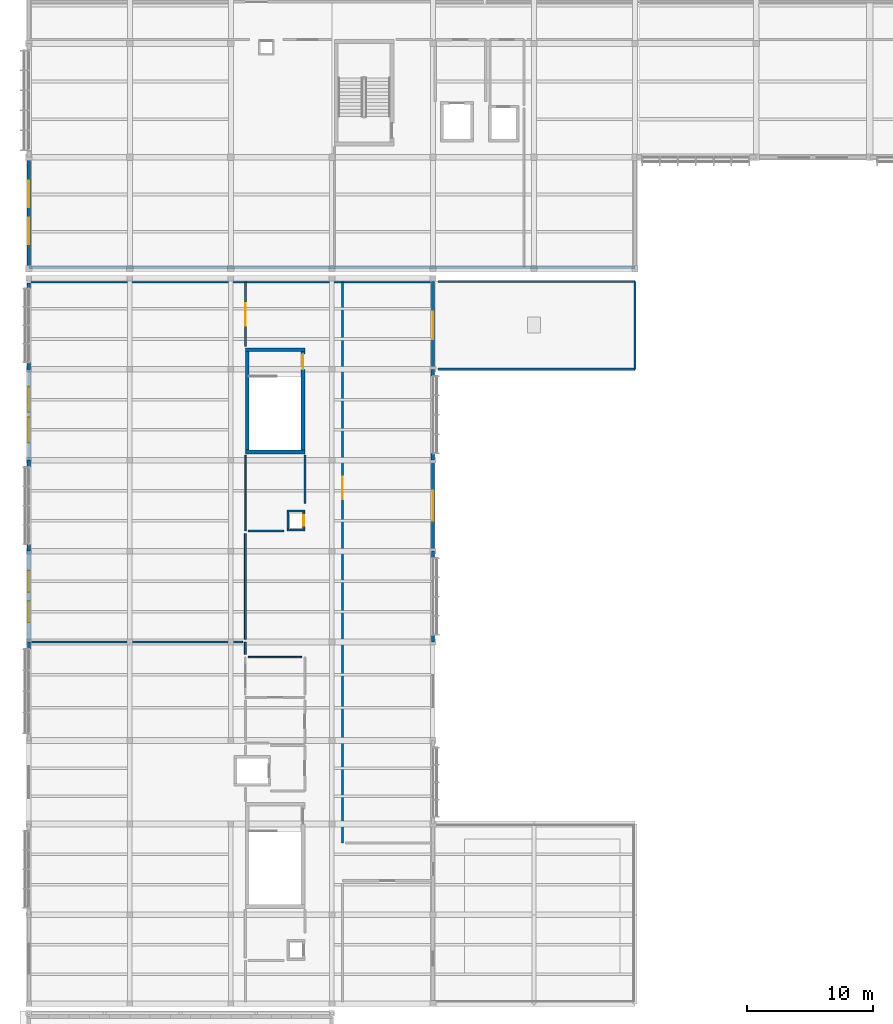
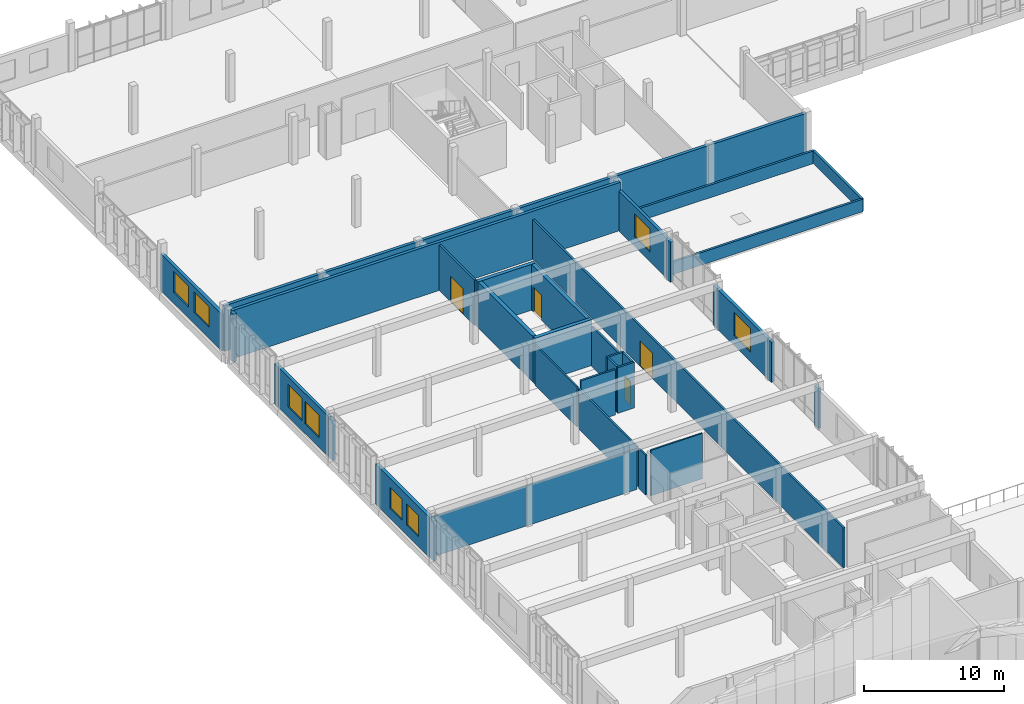
# One storey, part 92 of 107: 36 walls, 8 windows, 4 doors, 12 openings.
"""IFC4 building model written with IfcOpenShell, lengths in metres."""

import ifcopenshell
import ifcopenshell.guid

model = None  # the IFC model being written
_history = None  # IfcOwnerHistory: only IFC2X3 demands one
_inside = {}  # id of a spatial element -> (the spatial element, [elements in it])
_under = {}  # id of a project, library or spatial element -> (it, [spatial elements below it])
_declared = {}  # id of a project -> (the project, [libraries it declares])
_typed = {}  # id of a type object -> (the type object, [elements of that type])
_made_of = {}  # id of a material, layer set ... -> (it, [elements and type objects made of it])


def new_model(schema):
    """Start an empty IFC model of exactly this schema.

    Asked for "IFC4X3", IfcOpenShell would pick the latest addendum, in which some entities
    have other attributes; the version numbers below select the first issue.
    IFC2X3 requires an IfcOwnerHistory on every rooted entity: one is made here for all.
    """
    global model, _history
    if schema == "IFC4X3":
        model = ifcopenshell.file(schema_version=(4, 3, 0, 0))
    else:
        model = ifcopenshell.file(schema=schema)
    _inside.clear()
    _under.clear()
    _declared.clear()
    _typed.clear()
    _made_of.clear()
    _history = None
    if model.schema == "IFC2X3":
        org = make("IfcOrganization", Name="unknown")
        user = make(
            "IfcPersonAndOrganization",
            ThePerson=make("IfcPerson", FamilyName="unknown"),
            TheOrganization=org,
        )
        app = make(
            "IfcApplication",
            ApplicationDeveloper=org,
            Version="unknown",
            ApplicationFullName="unknown",
            ApplicationIdentifier="unknown",
        )
        _history = make(
            "IfcOwnerHistory",
            OwningUser=user,
            OwningApplication=app,
            ChangeAction="ADDED",
            CreationDate=0,
        )
    return model


def make(cls, **values):
    """One entity of the class cls with the attributes given. An attribute that is None is left unset."""
    return model.create_entity(
        cls, **{name: value for name, value in values.items() if value is not None}
    )


def rooted(cls, **values):
    """An entity with a GlobalId (a new one), such as an element, a storey or a relation."""
    return make(cls, GlobalId=ifcopenshell.guid.new(), OwnerHistory=_history, **values)


def si_unit(unit_type, name, prefix=None):
    """IfcSIUnit, for example si_unit("LENGTHUNIT", "METRE", prefix="MILLI")."""
    return make("IfcSIUnit", UnitType=unit_type, Prefix=prefix, Name=name)


def assignment(units):
    """IfcUnitAssignment: the units of a project."""
    return None if units is None else make("IfcUnitAssignment", Units=units)


def point(xyz):
    """IfcCartesianPoint."""
    return None if xyz is None else make("IfcCartesianPoint", Coordinates=xyz)


def direction(xyz):
    """IfcDirection."""
    return None if xyz is None else make("IfcDirection", DirectionRatios=xyz)


def frame(location, z_axis=None, x_axis=None):
    """IfcAxis2Placement3D, a coordinate frame: its origin and axes. An axis left out is left unset."""
    return make(
        "IfcAxis2Placement3D",
        Location=point(location),
        Axis=direction(z_axis),
        RefDirection=direction(x_axis),
    )


def frame_2d(location, x_axis=None):
    """IfcAxis2Placement2D, a coordinate frame in the plane: its origin and x axis."""
    return make(
        "IfcAxis2Placement2D", Location=point(location), RefDirection=direction(x_axis)
    )


def origin():
    """The frame at (0, 0, 0) with its axes left unset."""
    return frame((0.0, 0.0, 0.0))


def place(relative_to, where):
    """IfcLocalPlacement: puts the frame where relative to a parent placement (None: the world)."""
    return make(
        "IfcLocalPlacement", PlacementRelTo=relative_to, RelativePlacement=where
    )


def context(
    kind, dimensions, precision=None, world=None, true_north=None, identifier=None
):
    """IfcGeometricRepresentationContext, for example the 3D "Model" context."""
    return make(
        "IfcGeometricRepresentationContext",
        ContextIdentifier=identifier,
        ContextType=kind,
        CoordinateSpaceDimension=dimensions,
        Precision=precision,
        WorldCoordinateSystem=world,
        TrueNorth=true_north,
    )


def subcontext(parent, identifier, kind, view, scale=None):
    """IfcGeometricRepresentationSubContext, for example "Body" below "Model"."""
    return make(
        "IfcGeometricRepresentationSubContext",
        ContextIdentifier=identifier,
        ContextType=kind,
        ParentContext=parent,
        TargetScale=scale,
        TargetView=view,
    )


def project(units=None, contexts=None):
    """IfcProject with its units and contexts."""
    return rooted(
        "IfcProject",
        Name="project",
        RepresentationContexts=contexts,
        UnitsInContext=assignment(units),
    )


def spatial(cls, under=None, at=None, **own):
    """A site, building, storey or space (cls), placed at a placement, below another one or the project."""
    s = rooted(cls, ObjectPlacement=at, **own)
    if under is not None:
        _under.setdefault(under.id(), (under, []))[1].append(s)
    return s


def profile(cls, at=None, kind="AREA", **sizes):
    """A parametric profile (cls). Its sizes go by their IFC names, for example OverallWidth=200.0."""
    return make(cls, ProfileType=kind, Position=at, **sizes)


def rectangle(**sizes):
    """IfcRectangleProfileDef."""
    return profile("IfcRectangleProfileDef", **sizes)


def extrude(swept, where, along, depth):
    """IfcExtrudedAreaSolid: the profile swept, set in the frame where, extruded along a direction by depth."""
    return make(
        "IfcExtrudedAreaSolid",
        SweptArea=swept,
        Position=where,
        ExtrudedDirection=direction(along),
        Depth=depth,
    )


def shape(context_of_items, identifier, shape_type, items):
    """IfcShapeRepresentation: the items that make up one representation, for example the "Body"."""
    return make(
        "IfcShapeRepresentation",
        ContextOfItems=context_of_items,
        RepresentationIdentifier=identifier,
        RepresentationType=shape_type,
        Items=items,
    )


def material(Name=None, Category=None):
    """IfcMaterial."""
    return make("IfcMaterial", Name=Name, Category=Category)


def layer(
    of_material, thickness, ventilated=None, Name=None, Category=None, Priority=None
):
    """IfcMaterialLayer: one layer of a wall or slab, of a material (None: an air gap)."""
    return make(
        "IfcMaterialLayer",
        Material=of_material,
        LayerThickness=thickness,
        IsVentilated=ventilated,
        Name=Name,
        Category=Category,
        Priority=Priority,
    )


def layer_set(layers, Name=None):
    """IfcMaterialLayerSet."""
    return make("IfcMaterialLayerSet", MaterialLayers=layers, LayerSetName=Name)


def made_of(thing, what):
    """Note that an element or type object is made of a material, layer set ...; save() writes the relation."""
    if what is not None:
        _made_of.setdefault(what.id(), (what, []))[1].append(thing)
    return thing


def type_object(cls, material=None, **own):
    """A type object (cls), such as IfcWallType, which elements share."""
    return made_of(rooted(cls, **own), material)


def element(
    cls,
    number,
    at=None,
    inside=None,
    cuts=None,
    type_object=None,
    material=None,
    context=None,
    identifier="Body",
    shape_type=None,
    held_by="IfcProductDefinitionShape",
    body=None,
    shapes=None,
    **own,
):
    """One element of the class cls, such as IfcWall. Its Tag is "e" and its number.

    at: its placement. inside: the storey or other place that contains it. cuts: it is an
    opening in that element (IfcRelVoidsElement). A single representation is given by context,
    identifier, shape_type and body (its items); several are given by shapes. held_by: the class
    of the entity that holds the representations. save() writes the other relations.
    """
    e = rooted(cls, Tag="e%d" % number, ObjectPlacement=at, **own)
    if body is not None:
        shapes = [shape(context, identifier, shape_type, body)]
    if shapes is not None:
        e.Representation = make(held_by, Representations=shapes)
    if inside is not None:
        _inside.setdefault(inside.id(), (inside, []))[1].append(e)
    if cuts is not None:
        rooted(
            "IfcRelVoidsElement", RelatingBuildingElement=cuts, RelatedOpeningElement=e
        )
    if type_object is not None:
        _typed.setdefault(type_object.id(), (type_object, []))[1].append(e)
    return made_of(e, material)


def fill(opening, filler):
    """IfcRelFillsElement: the door or window that sits in an opening."""
    return rooted(
        "IfcRelFillsElement",
        RelatingOpeningElement=opening,
        RelatedBuildingElement=filler,
    )


def aggregate(whole, parts):
    """IfcRelAggregates: a whole, such as a stair, and the parts it consists of."""
    return rooted("IfcRelAggregates", RelatingObject=whole, RelatedObjects=parts)


def save(model, path):
    """Write the relations noted so far, then the file.

    IfcRelAggregates (storeys below a building ...), IfcRelContainedInSpatialStructure (elements
    in a storey), IfcRelDefinesByType, IfcRelAssociatesMaterial and IfcRelDeclares: one each for
    every whole, place, type object, material and project.
    """
    for whole, parts in _under.values():
        aggregate(whole, parts)
    for where, things in _inside.values():
        rooted(
            "IfcRelContainedInSpatialStructure",
            RelatedElements=things,
            RelatingStructure=where,
        )
    for kind, things in _typed.values():
        rooted("IfcRelDefinesByType", RelatedObjects=things, RelatingType=kind)
    for what, things in _made_of.values():
        rooted("IfcRelAssociatesMaterial", RelatedObjects=things, RelatingMaterial=what)
    for by, libraries in _declared.values():
        rooted("IfcRelDeclares", RelatingContext=by, RelatedDefinitions=libraries)
    model.write(path)


model = new_model("IFC4")

# Units and contexts
model_context = context("Model", 3, precision=1e-05, world=origin(), true_north=direction((0.0, 1.0)))
body_context = subcontext(model_context, "Body", "Model", "MODEL_VIEW")
ifc_project = project(units=[si_unit("LENGTHUNIT", "METRE"), si_unit("AREAUNIT", "SQUARE_METRE"), si_unit("VOLUMEUNIT", "CUBIC_METRE"), si_unit("PLANEANGLEUNIT", "RADIAN"), si_unit("MASSUNIT", "GRAM", prefix="KILO")], contexts=[model_context])

# Site, building, storey
site_placement = place(None, origin())
site = spatial("IfcSite", under=ifc_project, at=site_placement, CompositionType="ELEMENT")
building_placement = place(site_placement, origin())
building = spatial("IfcBuilding", under=site, at=building_placement, Name="Chiffa Square Polytechnic", CompositionType="ELEMENT")
storey_placement = place(building_placement, frame((0.0, 0.0, 13.800048828125)))
storey = spatial("IfcBuildingStorey", under=building, at=storey_placement, Name="L03", CompositionType="ELEMENT", Elevation=13.800048828125)

# Walls
ifc_material_1 = material(Name="Concrete C40/50", Category="concrete")
ifc_layer_1 = layer(ifc_material_1, 0.300048828125, Name="Concrete C40/50")
ifc_layer_set_1 = layer_set([ifc_layer_1], Name="Concrete C40/50")
wall_type_1 = type_object("IfcWallType", Name="WL-CORE-300", PredefinedType="SHEAR", material=ifc_layer_set_1)
for number, where, z_axis, x_axis, name in (
    (1, (17.14990234375, 80.449951171875, 0.0), (0.0, 0.0, 1.0), (1.0, 0.0, 0.0), "Core or enclosure wall WC-CORE-V6B-L03-SOUTH"),
    (2, (17.14990234375, 88.550048828125, 0.0), (0.0, 0.0, 1.0), (1.0, 0.0, 0.0), "Core or enclosure wall WC-CORE-V6B-L03-NORTH"),
):
    element("IfcWall", number, at=place(storey_placement, frame(where, z_axis=z_axis, x_axis=x_axis)), inside=storey, type_object=wall_type_1, Name=name, PredefinedType="SHEAR", context=body_context, shape_type="SweptSolid", body=[
        extrude(rectangle(XDim=4.7001953125, YDim=0.300048828125, at=frame_2d((2.35009765625, 0.0))), origin(), (0.0, 0.0, 1.0), 4.0),
    ])
wall_1_placement = place(storey_placement, frame((17.300048828125, 80.60009765625, 0.0), z_axis=(0.0, 0.0, 1.0), x_axis=(0.0, 1.0, 0.0)))
element("IfcWall", 3, at=wall_1_placement, inside=storey, type_object=wall_type_1, Name="Core or enclosure wall WC-CORE-V6B-L03-WEST", PredefinedType="SHEAR", context=body_context, shape_type="SweptSolid", body=[
    extrude(rectangle(XDim=7.7998046875, YDim=0.300048828125, at=frame_2d((3.89990234375, 0.0))), origin(), (0.0, 0.0, 1.0), 4.0),
])

# Wall, opening, door
wall_2_placement = place(storey_placement, frame((21.699951171875, 80.60009765625, 0.0), z_axis=(0.0, 0.0, 1.0), x_axis=(0.0, 1.0, 0.0)))
wall_2 = element("IfcWall", 4, at=wall_2_placement, inside=storey, type_object=wall_type_1, Name="Core or enclosure wall WC-CORE-V6B-L03-EAST", PredefinedType="SHEAR", context=body_context, shape_type="SweptSolid", body=[
    extrude(rectangle(XDim=7.7998046875, YDim=0.300048828125, at=frame_2d((3.89990234375, 0.0))), origin(), (0.0, 0.0, 1.0), 4.0),
])
opening_1_placement = place(wall_2_placement, frame((6.39990234375, 0.0, 0.0)))
opening_1 = element("IfcOpeningElement", 5, at=opening_1_placement, cuts=wall_2, Name="Opening DS-L03-054", PredefinedType="OPENING", context=body_context, shape_type="SweptSolid", body=[
    extrude(rectangle(XDim=1.199951171875, YDim=2.14990234375, at=frame_2d((0.60009765625, 1.074951171875))), frame((0.0, 0.16015625, 0.0), z_axis=(0.0, -1.0, 0.0), x_axis=(1.0, 0.0, 0.0)), (0.0, 0.0, 1.0), 0.320068359375),
])
ifc_material_2 = material(Name="Fire-rated painted steel leaf", Category="steel")
door_type_1 = type_object("IfcDoorType", Name="DR-STAIR-1200", OperationType="NOTDEFINED", PredefinedType="DOOR", material=ifc_material_2)
door_1_placement = place(opening_1_placement, origin())
door_1 = element("IfcDoor", 6, at=door_1_placement, inside=storey, type_object=door_type_1, Name="Enclosure door DS-L03-054", OperationType="SINGLE_SWING_RIGHT", OverallHeight=2.14990234375, OverallWidth=1.199951171875, PredefinedType="DOOR", context=body_context, shape_type="SweptSolid", body=[
    extrude(rectangle(XDim=1.199951171875, YDim=2.14990234375, at=frame_2d((0.60009765625, 1.074951171875))), frame((0.0, 0.02490234375, 0.0), z_axis=(0.0, -1.0, 0.0), x_axis=(1.0, 0.0, 0.0)), (0.0, 0.0, 1.0), 0.050048828125),
])
fill(opening_1, door_1)

# Walls
ifc_material_3 = material(Name="Precast concrete C40/50", Category="concrete")
ifc_layer_2 = layer(ifc_material_3, 0.239990234375, Name="Precast concrete C40/50")
ifc_layer_set_2 = layer_set([ifc_layer_2], Name="Precast concrete C40/50")
wall_type_2 = type_object("IfcWallType", Name="WL-EXT-PC240", PredefinedType="SOLIDWALL", material=ifc_layer_set_2)
for number, where, z_axis, x_axis, name in (
    (7, (32.0, 65.39990234375, 0.0), (0.0, 0.0, 1.0), (0.0, 1.0, 0.0), "Facade column pier V6-L03-0454L"),
    (8, (32.0, 72.06005859375, 0.0), (0.0, 0.0, 1.0), (0.0, 1.0, 0.0), "Facade column pier V6-L03-0454R"),
):
    element("IfcWall", number, at=place(storey_placement, frame(where, z_axis=z_axis, x_axis=x_axis)), inside=storey, type_object=wall_type_2, Name=name, PredefinedType="SOLIDWALL", context=body_context, shape_type="SweptSolid", body=[
        extrude(rectangle(XDim=0.5400390625, YDim=0.239990234375, at=frame_2d((0.27001953125, 0.0))), origin(), (0.0, 0.0, 1.0), 3.48486328125),
    ])

# Wall, opening, window
wall_3_placement = place(storey_placement, frame((32.0, 87.0, 0.0), z_axis=(0.0, 0.0, 1.0), x_axis=(0.0, 1.0, 0.0)))
wall_3 = element("IfcWall", 9, at=wall_3_placement, inside=storey, type_object=wall_type_2, Name="Exterior wall WE-V6-L03-0457", PredefinedType="SOLIDWALL", context=body_context, shape_type="SweptSolid", body=[
    extrude(rectangle(XDim=6.949951171875, YDim=0.239990234375, at=frame_2d((3.47509765625, 0.0))), origin(), (0.0, 0.0, 1.0), 3.48486328125),
])
opening_2_placement = place(wall_3_placement, frame((2.375, 0.0, 0.85009765625)))
opening_2 = element("IfcOpeningElement", 10, at=opening_2_placement, cuts=wall_3, Name="Opening W-11", PredefinedType="OPENING", context=body_context, shape_type="SweptSolid", body=[
    extrude(rectangle(XDim=2.199951171875, YDim=2.0, at=frame_2d((1.10009765625, 1.0))), frame((0.0, 0.1298828125, 0.0), z_axis=(0.0, -1.0, 0.0), x_axis=(1.0, 0.0, 0.0)), (0.0, 0.0, 1.0), 0.260009765625),
])
ifc_material_4 = material(Name="Double glazing in thermally broken aluminium frame", Category="aluminium")
window_type_1 = type_object("IfcWindowType", Name="WIN-STD-2200X2000", PartitioningType="DOUBLE_PANEL_VERTICAL", PredefinedType="WINDOW", material=ifc_material_4)
window_1_placement = place(opening_2_placement, origin())
window_1 = element("IfcWindow", 11, at=window_1_placement, inside=storey, type_object=window_type_1, Name="Facade window WN-L03-0304", OverallHeight=2.0, OverallWidth=2.199951171875, PartitioningType="DOUBLE_PANEL_VERTICAL", PredefinedType="WINDOW", context=body_context, shape_type="SweptSolid", body=[
    extrude(rectangle(XDim=2.199951171875, YDim=2.0, at=frame_2d((1.10009765625, 1.0))), frame((0.0, 0.030029296875, 0.0), z_axis=(0.0, -1.0, 0.0), x_axis=(1.0, 0.0, 0.0)), (0.0, 0.0, 1.0), 0.06005859375),
])
fill(opening_2, window_1)

# Wall, openings, windows
wall_4_placement = place(storey_placement, frame((0.0, 87.0, 0.0), z_axis=(0.0, 0.0, 1.0), x_axis=(0.0, -1.0, 0.0)))
wall_4 = element("IfcWall", 12, at=wall_4_placement, inside=storey, type_object=wall_type_2, Name="Exterior wall WE-V6-L03-0460", PredefinedType="SOLIDWALL", context=body_context, shape_type="SweptSolid", body=[
    extrude(rectangle(XDim=7.199951171875, YDim=0.239990234375, at=frame_2d((3.60009765625, 0.0))), origin(), (0.0, 0.0, 1.0), 3.48486328125),
])
opening_3_placement = place(wall_4_placement, frame((1.39990234375, 0.0, 0.85009765625)))
opening_3 = element("IfcOpeningElement", 13, at=opening_3_placement, cuts=wall_4, Name="Opening W-12", PredefinedType="OPENING", context=body_context, shape_type="SweptSolid", body=[
    extrude(rectangle(XDim=2.0, YDim=1.949951171875, at=frame_2d((1.0, 0.97509765625))), frame((0.0, 0.1298828125, 0.0), z_axis=(0.0, -1.0, 0.0), x_axis=(1.0, 0.0, 0.0)), (0.0, 0.0, 1.0), 0.260009765625),
])
opening_4_placement = place(wall_4_placement, frame((3.800048828125, 0.0, 0.85009765625)))
opening_4 = element("IfcOpeningElement", 14, at=opening_4_placement, cuts=wall_4, Name="Opening W-12", PredefinedType="OPENING", context=body_context, shape_type="SweptSolid", body=[
    extrude(rectangle(XDim=2.0, YDim=1.949951171875, at=frame_2d((1.0, 0.97509765625))), frame((0.0, 0.1298828125, 0.0), z_axis=(0.0, -1.0, 0.0), x_axis=(1.0, 0.0, 0.0)), (0.0, 0.0, 1.0), 0.260009765625),
])
window_type_2 = type_object("IfcWindowType", Name="WIN-STD-2000X1950", PartitioningType="DOUBLE_PANEL_VERTICAL", PredefinedType="WINDOW", material=ifc_material_4)
window_2_placement = place(opening_3_placement, origin())
window_2 = element("IfcWindow", 15, at=window_2_placement, inside=storey, type_object=window_type_2, Name="Facade window WN-L03-0305", OverallHeight=1.949951171875, OverallWidth=2.0, PartitioningType="DOUBLE_PANEL_VERTICAL", PredefinedType="WINDOW", context=body_context, shape_type="SweptSolid", body=[
    extrude(rectangle(XDim=2.0, YDim=1.949951171875, at=frame_2d((1.0, 0.97509765625))), frame((0.0, 0.030029296875, 0.0), z_axis=(0.0, -1.0, 0.0), x_axis=(1.0, 0.0, 0.0)), (0.0, 0.0, 1.0), 0.06005859375),
])
fill(opening_3, window_2)
window_3_placement = place(opening_4_placement, origin())
window_3 = element("IfcWindow", 16, at=window_3_placement, inside=storey, type_object=window_type_2, Name="Facade window WN-L03-0306", OverallHeight=1.949951171875, OverallWidth=2.0, PartitioningType="DOUBLE_PANEL_VERTICAL", PredefinedType="WINDOW", context=body_context, shape_type="SweptSolid", body=[
    extrude(rectangle(XDim=2.0, YDim=1.949951171875, at=frame_2d((1.0, 0.97509765625))), frame((0.0, 0.030029296875, 0.0), z_axis=(0.0, -1.0, 0.0), x_axis=(1.0, 0.0, 0.0)), (0.0, 0.0, 1.0), 0.06005859375),
])
fill(opening_4, window_3)

# Wall
wall_5_placement = place(storey_placement, frame((0.0, 65.39990234375, 0.0), z_axis=(0.0, 0.0, 1.0), x_axis=(0.0, -1.0, 0.0)))
element("IfcWall", 17, at=wall_5_placement, inside=storey, type_object=wall_type_2, Name="Facade column pier V6-L03-0463L", PredefinedType="SOLIDWALL", context=body_context, shape_type="SweptSolid", body=[
    extrude(rectangle(XDim=0.539794921875, YDim=0.239990234375, at=frame_2d((0.27001953125, 0.0))), origin(), (0.0, 0.0, 1.0), 3.48486328125),
])

# Wall, openings, windows
ifc_layer_3 = layer(ifc_material_3, 0.260009765625, Name="Precast concrete C40/50")
ifc_layer_set_3 = layer_set([ifc_layer_3], Name="Precast concrete C40/50")
wall_type_3 = type_object("IfcWallType", Name="WL-EXT-PC260", PredefinedType="SOLIDWALL", material=ifc_layer_set_3)
wall_6_placement = place(storey_placement, frame((0.0, 103.800048828125, 0.0), z_axis=(0.0, 0.0, 1.0), x_axis=(0.0, -1.0, 0.0)))
wall_6 = element("IfcWall", 18, at=wall_6_placement, inside=storey, type_object=wall_type_3, Name="Exterior wall WE-V5-L03-0362", PredefinedType="SOLIDWALL", context=body_context, shape_type="SweptSolid", body=[
    extrude(rectangle(XDim=8.75, YDim=0.260009765625, at=frame_2d((4.375, 0.0))), origin(), (0.0, 0.0, 1.0), 3.195068359375),
])
opening_5_placement = place(wall_6_placement, frame((1.866943359375, 0.0, 0.949951171875)))
opening_5 = element("IfcOpeningElement", 19, at=opening_5_placement, cuts=wall_6, Name="Opening W-03", PredefinedType="OPENING", context=body_context, shape_type="SweptSolid", body=[
    extrude(rectangle(XDim=2.10009765625, YDim=1.800048828125, at=frame_2d((1.050048828125, 0.89990234375))), frame((0.0, 0.14013671875, 0.0), z_axis=(0.0, -1.0, 0.0), x_axis=(1.0, 0.0, 0.0)), (0.0, 0.0, 1.0), 0.280029296875),
])
opening_6_placement = place(wall_6_placement, frame((4.782958984375, 0.0, 0.949951171875)))
opening_6 = element("IfcOpeningElement", 20, at=opening_6_placement, cuts=wall_6, Name="Opening W-03", PredefinedType="OPENING", context=body_context, shape_type="SweptSolid", body=[
    extrude(rectangle(XDim=2.10009765625, YDim=1.800048828125, at=frame_2d((1.050048828125, 0.89990234375))), frame((0.0, 0.14013671875, 0.0), z_axis=(0.0, -1.0, 0.0), x_axis=(1.0, 0.0, 0.0)), (0.0, 0.0, 1.0), 0.280029296875),
])
window_type_3 = type_object("IfcWindowType", Name="WIN-LAB-2100X1800", PartitioningType="DOUBLE_PANEL_VERTICAL", PredefinedType="WINDOW", material=ifc_material_4)
window_4_placement = place(opening_5_placement, origin())
window_4 = element("IfcWindow", 21, at=window_4_placement, inside=storey, type_object=window_type_3, Name="Facade window WN-L03-0254", OverallHeight=1.800048828125, OverallWidth=2.10009765625, PartitioningType="DOUBLE_PANEL_VERTICAL", PredefinedType="WINDOW", context=body_context, shape_type="SweptSolid", body=[
    extrude(rectangle(XDim=2.10009765625, YDim=1.800048828125, at=frame_2d((1.050048828125, 0.89990234375))), frame((0.0, 0.030029296875, 0.0), z_axis=(0.0, -1.0, 0.0), x_axis=(1.0, 0.0, 0.0)), (0.0, 0.0, 1.0), 0.06005859375),
])
fill(opening_5, window_4)
window_5_placement = place(opening_6_placement, origin())
window_5 = element("IfcWindow", 22, at=window_5_placement, inside=storey, type_object=window_type_3, Name="Facade window WN-L03-0255", OverallHeight=1.800048828125, OverallWidth=2.10009765625, PartitioningType="DOUBLE_PANEL_VERTICAL", PredefinedType="WINDOW", context=body_context, shape_type="SweptSolid", body=[
    extrude(rectangle(XDim=2.10009765625, YDim=1.800048828125, at=frame_2d((1.050048828125, 0.89990234375))), frame((0.0, 0.030029296875, 0.0), z_axis=(0.0, -1.0, 0.0), x_axis=(1.0, 0.0, 0.0)), (0.0, 0.0, 1.0), 0.06005859375),
])
fill(opening_6, window_5)

# Wall, opening, window
wall_7_placement = place(storey_placement, frame((32.0, 72.60009765625, 0.0), z_axis=(0.0, 0.0, 1.0), x_axis=(0.0, 1.0, 0.0)))
wall_7 = element("IfcWall", 23, at=wall_7_placement, inside=storey, type_object=wall_type_3, Name="Exterior wall WE-V6-L03-0455", PredefinedType="SOLIDWALL", context=body_context, shape_type="SweptSolid", body=[
    extrude(rectangle(XDim=7.199951171875, YDim=0.260009765625, at=frame_2d((3.60009765625, 0.0))), origin(), (0.0, 0.0, 1.0), 3.48486328125),
])
opening_7_placement = place(wall_7_placement, frame((2.39990234375, 0.0, 0.85009765625)))
opening_7 = element("IfcOpeningElement", 24, at=opening_7_placement, cuts=wall_7, Name="Opening W-10", PredefinedType="OPENING", context=body_context, shape_type="SweptSolid", body=[
    extrude(rectangle(XDim=2.39990234375, YDim=2.050048828125, at=frame_2d((1.199951171875, 1.02490234375))), frame((0.0, 0.14013671875, 0.0), z_axis=(0.0, -1.0, 0.0), x_axis=(1.0, 0.0, 0.0)), (0.0, 0.0, 1.0), 0.280029296875),
])
window_type_4 = type_object("IfcWindowType", Name="WIN-STD-2400X2050", PartitioningType="DOUBLE_PANEL_VERTICAL", PredefinedType="WINDOW", material=ifc_material_4)
window_6_placement = place(opening_7_placement, origin())
window_6 = element("IfcWindow", 25, at=window_6_placement, inside=storey, type_object=window_type_4, Name="Facade window WN-L03-0303", OverallHeight=2.050048828125, OverallWidth=2.39990234375, PartitioningType="DOUBLE_PANEL_VERTICAL", PredefinedType="WINDOW", context=body_context, shape_type="SweptSolid", body=[
    extrude(rectangle(XDim=2.39990234375, YDim=2.050048828125, at=frame_2d((1.199951171875, 1.02490234375))), frame((0.0, 0.030029296875, 0.0), z_axis=(0.0, -1.0, 0.0), x_axis=(1.0, 0.0, 0.0)), (0.0, 0.0, 1.0), 0.06005859375),
])
fill(opening_7, window_6)

# Walls
wall_8_placement = place(storey_placement, frame((0.0, 79.800048828125, 0.0), z_axis=(0.0, 0.0, 1.0), x_axis=(0.0, -1.0, 0.0)))
element("IfcWall", 26, at=wall_8_placement, inside=storey, type_object=wall_type_3, Name="Facade column pier V6-L03-0461L", PredefinedType="SOLIDWALL", context=body_context, shape_type="SweptSolid", body=[
    extrude(rectangle(XDim=0.5400390625, YDim=0.260009765625, at=frame_2d((0.27001953125, 0.0))), origin(), (0.0, 0.0, 1.0), 3.48486328125),
])
wall_9_placement = place(storey_placement, frame((0.0, 73.139892578125, 0.0), z_axis=(0.0, 0.0, 1.0), x_axis=(0.0, -1.0, 0.0)))
element("IfcWall", 27, at=wall_9_placement, inside=storey, type_object=wall_type_3, Name="Facade column pier V6-L03-0461R", PredefinedType="SOLIDWALL", context=body_context, shape_type="SweptSolid", body=[
    extrude(rectangle(XDim=0.539794921875, YDim=0.260009765625, at=frame_2d((0.27001953125, 0.0))), origin(), (0.0, 0.0, 1.0), 3.48486328125),
])
ifc_layer_4 = layer(ifc_material_3, 0.280029296875, Name="Precast concrete C40/50")
ifc_layer_set_4 = layer_set([ifc_layer_4], Name="Precast concrete C40/50")
wall_type_4 = type_object("IfcWallType", Name="WL-EXT-PC280", PredefinedType="SOLIDWALL", material=ifc_layer_set_4)
for number, where, z_axis, x_axis, name in (
    (28, (32.0, 79.800048828125, 0.0), (0.0, 0.0, 1.0), (0.0, 1.0, 0.0), "Facade column pier V6-L03-0456L"),
    (29, (32.0, 86.4599609375, 0.0), (0.0, 0.0, 1.0), (0.0, 1.0, 0.0), "Facade column pier V6-L03-0456R"),
):
    element("IfcWall", number, at=place(storey_placement, frame(where, z_axis=z_axis, x_axis=x_axis)), inside=storey, type_object=wall_type_4, Name=name, PredefinedType="SOLIDWALL", context=body_context, shape_type="SweptSolid", body=[
        extrude(rectangle(XDim=0.5400390625, YDim=0.280029296875, at=frame_2d((0.27001953125, 0.0))), origin(), (0.0, 0.0, 1.0), 3.48486328125),
    ])
wall_10_placement = place(storey_placement, frame((0.0, 93.822998046875, 0.0), z_axis=(0.0, 0.0, 1.0), x_axis=(0.0, -1.0, 0.0)))
element("IfcWall", 30, at=wall_10_placement, inside=storey, type_object=wall_type_4, Name="Facade column pier V6-L03-0459L", PredefinedType="SOLIDWALL", context=body_context, shape_type="SweptSolid", body=[
    extrude(rectangle(XDim=0.4130859375, YDim=0.280029296875, at=frame_2d((0.20654296875, 0.0))), origin(), (0.0, 0.0, 1.0), 4.199951171875),
])
wall_11_placement = place(storey_placement, frame((0.0, 87.5400390625, 0.0), z_axis=(0.0, 0.0, 1.0), x_axis=(0.0, -1.0, 0.0)))
element("IfcWall", 31, at=wall_11_placement, inside=storey, type_object=wall_type_4, Name="Facade column pier V6-L03-0459R", PredefinedType="SOLIDWALL", context=body_context, shape_type="SweptSolid", body=[
    extrude(rectangle(XDim=0.5400390625, YDim=0.280029296875, at=frame_2d((0.27001953125, 0.0))), origin(), (0.0, 0.0, 1.0), 3.48486328125),
])

# Wall, openings, windows
wall_12_placement = place(storey_placement, frame((0.0, 72.60009765625, 0.0), z_axis=(0.0, 0.0, 1.0), x_axis=(0.0, -1.0, 0.0)))
wall_12 = element("IfcWall", 32, at=wall_12_placement, inside=storey, type_object=wall_type_4, Name="Exterior wall WE-V6-L03-0462", PredefinedType="SOLIDWALL", context=body_context, shape_type="SweptSolid", body=[
    extrude(rectangle(XDim=7.2001953125, YDim=0.280029296875, at=frame_2d((3.60009765625, 0.0))), origin(), (0.0, 0.0, 1.0), 3.48486328125),
])
opening_8_placement = place(wall_12_placement, frame((1.550048828125, 0.0, 0.85009765625)))
opening_8 = element("IfcOpeningElement", 33, at=opening_8_placement, cuts=wall_12, Name="Opening W-14", PredefinedType="OPENING", context=body_context, shape_type="SweptSolid", body=[
    extrude(rectangle(XDim=1.699951171875, YDim=1.85009765625, at=frame_2d((0.85009765625, 0.925048828125))), frame((0.0, 0.14990234375, 0.0), z_axis=(0.0, -1.0, 0.0), x_axis=(1.0, 0.0, 0.0)), (0.0, 0.0, 1.0), 0.300048828125),
])
opening_9_placement = place(wall_12_placement, frame((3.949951171875, 0.0, 0.85009765625)))
opening_9 = element("IfcOpeningElement", 34, at=opening_9_placement, cuts=wall_12, Name="Opening W-14", PredefinedType="OPENING", context=body_context, shape_type="SweptSolid", body=[
    extrude(rectangle(XDim=1.699951171875, YDim=1.85009765625, at=frame_2d((0.85009765625, 0.925048828125))), frame((0.0, 0.14990234375, 0.0), z_axis=(0.0, -1.0, 0.0), x_axis=(1.0, 0.0, 0.0)), (0.0, 0.0, 1.0), 0.300048828125),
])
window_type_5 = type_object("IfcWindowType", Name="WIN-STD-1700X1850", PartitioningType="DOUBLE_PANEL_VERTICAL", PredefinedType="WINDOW", material=ifc_material_4)
window_7_placement = place(opening_8_placement, origin())
window_7 = element("IfcWindow", 35, at=window_7_placement, inside=storey, type_object=window_type_5, Name="Facade window WN-L03-0307", OverallHeight=1.85009765625, OverallWidth=1.699951171875, PartitioningType="DOUBLE_PANEL_VERTICAL", PredefinedType="WINDOW", context=body_context, shape_type="SweptSolid", body=[
    extrude(rectangle(XDim=1.699951171875, YDim=1.85009765625, at=frame_2d((0.85009765625, 0.925048828125))), frame((0.0, 0.030029296875, 0.0), z_axis=(0.0, -1.0, 0.0), x_axis=(1.0, 0.0, 0.0)), (0.0, 0.0, 1.0), 0.06005859375),
])
fill(opening_8, window_7)
window_8_placement = place(opening_9_placement, origin())
window_8 = element("IfcWindow", 36, at=window_8_placement, inside=storey, type_object=window_type_5, Name="Facade window WN-L03-0308", OverallHeight=1.85009765625, OverallWidth=1.699951171875, PartitioningType="DOUBLE_PANEL_VERTICAL", PredefinedType="WINDOW", context=body_context, shape_type="SweptSolid", body=[
    extrude(rectangle(XDim=1.699951171875, YDim=1.85009765625, at=frame_2d((0.85009765625, 0.925048828125))), frame((0.0, 0.030029296875, 0.0), z_axis=(0.0, -1.0, 0.0), x_axis=(1.0, 0.0, 0.0)), (0.0, 0.0, 1.0), 0.06005859375),
])
fill(opening_9, window_8)

# Walls
ifc_layer_5 = layer(ifc_material_3, 0.179931640625, Name="Precast concrete C40/50")
ifc_layer_set_5 = layer_set([ifc_layer_5], Name="Precast concrete C40/50")
wall_type_5 = type_object("IfcWallType", Name="WL-PAR-180", PredefinedType="PARAPET", material=ifc_layer_set_5)
wall_13_placement = place(storey_placement, frame((32.39990234375, 87.0, 0.22998046875), z_axis=(0.0, 0.0, 1.0), x_axis=(1.0, 0.0, 0.0)))
element("IfcWall", 37, at=wall_13_placement, inside=storey, type_object=wall_type_5, Name="Roof parapet PRP-V6-LOW2-1", PredefinedType="PARAPET", context=body_context, shape_type="SweptSolid", body=[
    extrude(rectangle(XDim=15.60009765625, YDim=0.179931640625, at=frame_2d((7.800048828125, 0.0))), origin(), (0.0, 0.0, 1.0), 1.099853515625),
])
wall_14_placement = place(storey_placement, frame((48.0, 87.0, 0.22998046875), z_axis=(0.0, 0.0, 1.0), x_axis=(0.0, 1.0, 0.0)))
element("IfcWall", 38, at=wall_14_placement, inside=storey, type_object=wall_type_5, Name="Roof parapet PRP-V6-LOW2-2", PredefinedType="PARAPET", context=body_context, shape_type="SweptSolid", body=[
    extrude(rectangle(XDim=6.949951171875, YDim=0.179931640625, at=frame_2d((3.47509765625, 0.0))), origin(), (0.0, 0.0, 1.0), 1.099853515625),
])
wall_15_placement = place(storey_placement, frame((48.0, 93.949951171875, 0.22998046875), z_axis=(0.0, 0.0, 1.0), x_axis=(-1.0, 0.0, 0.0)))
element("IfcWall", 39, at=wall_15_placement, inside=storey, type_object=wall_type_5, Name="Roof parapet PRP-V6-LOW2-3", PredefinedType="PARAPET", context=body_context, shape_type="SweptSolid", body=[
    extrude(rectangle(XDim=15.60009765625, YDim=0.179931640625, at=frame_2d((7.800048828125, 0.0))), origin(), (0.0, 0.0, 1.0), 1.099853515625),
])
ifc_material_5 = material(Name="Gypsum board on steel stud", Category="steel")
ifc_layer_6 = layer(ifc_material_5, 0.125, Name="Gypsum board on steel stud")
ifc_layer_set_6 = layer_set([ifc_layer_6], Name="Gypsum board on steel stud")
wall_type_6 = type_object("IfcWallType", Name="WL-PART-125", PredefinedType="PARTITIONING", material=ifc_layer_set_6)
wall_16_placement = place(storey_placement, frame((17.14990234375, 74.199951171875, 0.0), z_axis=(0.0, 0.0, 1.0), x_axis=(0.0, 1.0, 0.0)))
element("IfcWall", 40, at=wall_16_placement, inside=storey, type_object=wall_type_6, Name="Interior partition WP-V6-L03-0578", PredefinedType="PARTITIONING", context=body_context, shape_type="SweptSolid", body=[
    extrude(rectangle(XDim=6.010009765625, YDim=0.125, at=frame_2d((3.0048828125, 0.0))), origin(), (0.0, 0.0, 1.0), 3.48486328125),
])
ifc_layer_7 = layer(ifc_material_5, 0.135009765625, Name="Gypsum board on steel stud")
ifc_layer_set_7 = layer_set([ifc_layer_7], Name="Gypsum board on steel stud")
wall_type_7 = type_object("IfcWallType", Name="WL-PART-135", PredefinedType="PARTITIONING", material=ifc_layer_set_7)
wall_17_placement = place(storey_placement, frame((0.054931640625, 65.39990234375, 0.0), z_axis=(0.0, 0.0, 1.0), x_axis=(1.0, 0.0, 0.0)))
element("IfcWall", 41, at=wall_17_placement, inside=storey, type_object=wall_type_7, Name="Interior partition WP-V6-L03-0577", PredefinedType="PARTITIONING", context=body_context, shape_type="SweptSolid", body=[
    extrude(rectangle(XDim=16.875, YDim=0.135009765625, at=frame_2d((8.4375, 0.0))), origin(), (0.0, 0.0, 1.0), 3.48486328125),
])
ifc_layer_8 = layer(ifc_material_5, 0.14501953125, Name="Gypsum board on steel stud")
ifc_layer_set_8 = layer_set([ifc_layer_8], Name="Gypsum board on steel stud")
wall_type_8 = type_object("IfcWallType", Name="WL-PART-145", PredefinedType="PARTITIONING", material=ifc_layer_set_8)
wall_18_placement = place(storey_placement, frame((17.14990234375, 64.419921875, 0.0), z_axis=(0.0, 0.0, 1.0), x_axis=(0.0, 1.0, 0.0)))
element("IfcWall", 42, at=wall_18_placement, inside=storey, type_object=wall_type_8, Name="Interior partition WP-V6-L03-0573", PredefinedType="PARTITIONING", context=body_context, shape_type="SweptSolid", body=[
    extrude(rectangle(XDim=0.97998046875, YDim=0.14501953125, at=frame_2d((0.489990234375, 0.0))), origin(), (0.0, 0.0, 1.0), 3.48486328125),
])
wall_19_placement = place(storey_placement, frame((17.14990234375, 65.6201171875, 0.0), z_axis=(0.0, 0.0, 1.0), x_axis=(0.0, 1.0, 0.0)))
element("IfcWall", 43, at=wall_19_placement, inside=storey, type_object=wall_type_8, Name="Interior partition WP-V6-L03-0579", PredefinedType="PARTITIONING", context=body_context, shape_type="SweptSolid", body=[
    extrude(rectangle(XDim=8.35986328125, YDim=0.14501953125, at=frame_2d((4.179931640625, 0.0))), origin(), (0.0, 0.0, 1.0), 3.48486328125),
])
ifc_material_6 = material(Name="Gypsum board on acoustic steel stud", Category="steel")
ifc_layer_9 = layer(ifc_material_6, 0.159912109375, Name="Gypsum board on acoustic steel stud")
ifc_layer_set_9 = layer_set([ifc_layer_9], Name="Gypsum board on acoustic steel stud")
wall_type_9 = type_object("IfcWallType", Name="WL-PART-EI60-160", PredefinedType="PARTITIONING", material=ifc_layer_set_9)
for number, where, z_axis, x_axis, name in (
    (44, (20.449951171875, 74.280029296875, 0.0), (0.0, 0.0, 1.0), (1.0, 0.0, 0.0), "Core or enclosure wall WP-RSR-V6-N-L03-SOUTH"),
    (45, (20.449951171875, 75.77001953125, 0.0), (0.0, 0.0, 1.0), (1.0, 0.0, 0.0), "Core or enclosure wall WP-RSR-V6-N-L03-NORTH"),
):
    element("IfcWall", number, at=place(storey_placement, frame(where, z_axis=z_axis, x_axis=x_axis)), inside=storey, type_object=wall_type_9, Name=name, PredefinedType="PARTITIONING", context=body_context, shape_type="SweptSolid", body=[
        extrude(rectangle(XDim=1.400146484375, YDim=0.159912109375, at=frame_2d((0.7001953125, 0.0))), origin(), (0.0, 0.0, 1.0), 3.97998046875),
    ])
wall_20_placement = place(storey_placement, frame((20.530029296875, 74.360107421875, 0.0), z_axis=(0.0, 0.0, 1.0), x_axis=(0.0, 1.0, 0.0)))
element("IfcWall", 46, at=wall_20_placement, inside=storey, type_object=wall_type_9, Name="Core or enclosure wall WP-RSR-V6-N-L03-WEST", PredefinedType="PARTITIONING", context=body_context, shape_type="SweptSolid", body=[
    extrude(rectangle(XDim=1.329833984375, YDim=0.159912109375, at=frame_2d((0.6650390625, 0.0))), origin(), (0.0, 0.0, 1.0), 3.97998046875),
])

# Wall, opening, door
wall_21_placement = place(storey_placement, frame((21.77001953125, 74.360107421875, 0.0), z_axis=(0.0, 0.0, 1.0), x_axis=(0.0, 1.0, 0.0)))
wall_21 = element("IfcWall", 47, at=wall_21_placement, inside=storey, type_object=wall_type_9, Name="Core or enclosure wall WP-RSR-V6-N-L03-EAST", PredefinedType="PARTITIONING", context=body_context, shape_type="SweptSolid", body=[
    extrude(rectangle(XDim=1.329833984375, YDim=0.159912109375, at=frame_2d((0.6650390625, 0.0))), origin(), (0.0, 0.0, 1.0), 3.97998046875),
])
opening_10_placement = place(wall_21_placement, frame((0.239990234375, 0.0, 0.0)))
opening_10 = element("IfcOpeningElement", 48, at=opening_10_placement, cuts=wall_21, Name="Opening DI-L03-R25", PredefinedType="OPENING", context=body_context, shape_type="SweptSolid", body=[
    extrude(rectangle(XDim=0.85009765625, YDim=2.02001953125, at=frame_2d((0.425048828125, 1.010009765625))), frame((0.0, 0.08984375, 0.0), z_axis=(0.0, -1.0, 0.0), x_axis=(1.0, 0.0, 0.0)), (0.0, 0.0, 1.0), 0.179931640625),
])
ifc_material_7 = material(Name="Fire-rated steel riser access door", Category="steel")
door_type_2 = type_object("IfcDoorType", Name="DR-RISER-850", OperationType="NOTDEFINED", PredefinedType="DOOR", material=ifc_material_7)
door_2_placement = place(opening_10_placement, origin())
door_2 = element("IfcDoor", 49, at=door_2_placement, inside=storey, type_object=door_type_2, Name="Enclosure door DI-L03-R25", OperationType="SINGLE_SWING_LEFT", OverallHeight=2.02001953125, OverallWidth=0.85009765625, PredefinedType="DOOR", context=body_context, shape_type="SweptSolid", body=[
    extrude(rectangle(XDim=0.85009765625, YDim=2.02001953125, at=frame_2d((0.425048828125, 1.010009765625))), frame((0.0, 0.02490234375, 0.0), z_axis=(0.0, -1.0, 0.0), x_axis=(1.0, 0.0, 0.0)), (0.0, 0.0, 1.0), 0.050048828125),
])
fill(opening_10, door_2)

wall_22_placement = place(storey_placement, frame((17.14990234375, 88.7900390625, 0.0), z_axis=(0.0, 0.0, 1.0), x_axis=(0.0, 1.0, 0.0)))
wall_22 = element("IfcWall", 50, at=wall_22_placement, inside=storey, type_object=wall_type_9, Name="Interior partition WP-V6-L03-0559", PredefinedType="PARTITIONING", context=body_context, shape_type="SweptSolid", body=[
    extrude(rectangle(XDim=5.10498046875, YDim=0.159912109375, at=frame_2d((2.552490234375, 0.0))), origin(), (0.0, 0.0, 1.0), 3.9599609375),
])
opening_11_placement = place(wall_22_placement, frame((1.652099609375, 0.0, 0.0)))
opening_11 = element("IfcOpeningElement", 51, at=opening_11_placement, cuts=wall_22, Name="Opening DI-L03-205", PredefinedType="OPENING", context=body_context, shape_type="SweptSolid", body=[
    extrude(rectangle(XDim=1.800048828125, YDim=2.199951171875, at=frame_2d((0.89990234375, 1.10009765625))), frame((0.0, 0.08984375, 0.0), z_axis=(0.0, -1.0, 0.0), x_axis=(1.0, 0.0, 0.0)), (0.0, 0.0, 1.0), 0.179931640625),
])
ifc_material_8 = material(Name="Solid oak fire door pair")
door_type_3 = type_object("IfcDoorType", Name="DR-CORR-DBL-1800", OperationType="DOUBLE_DOOR_SINGLE_SWING", PredefinedType="DOOR", material=ifc_material_8)
door_3_placement = place(opening_11_placement, origin())
door_3 = element("IfcDoor", 52, at=door_3_placement, inside=storey, type_object=door_type_3, Name="Interior room door DI-L03-205", OperationType="DOUBLE_DOOR_SINGLE_SWING", OverallHeight=2.199951171875, OverallWidth=1.800048828125, PredefinedType="DOOR", context=body_context, shape_type="SweptSolid", body=[
    extrude(rectangle(XDim=1.800048828125, YDim=2.199951171875, at=frame_2d((0.89990234375, 1.10009765625))), frame((0.0, 0.02490234375, 0.0), z_axis=(0.0, -1.0, 0.0), x_axis=(1.0, 0.0, 0.0)), (0.0, 0.0, 1.0), 0.050048828125),
])
fill(opening_11, door_3)

wall_23_placement = place(storey_placement, frame((24.85009765625, 49.5, 0.0), z_axis=(0.0, 0.0, 1.0), x_axis=(0.0, 1.0, 0.0)))
wall_23 = element("IfcWall", 53, at=wall_23_placement, inside=storey, type_object=wall_type_9, Name="Interior partition WP-V6-L03-0560", PredefinedType="PARTITIONING", context=body_context, shape_type="SweptSolid", body=[
    extrude(rectangle(XDim=44.39501953125, YDim=0.159912109375, at=frame_2d((22.197509765625, 0.0))), origin(), (0.0, 0.0, 1.0), 3.48486328125),
])
opening_12_placement = place(wall_23_placement, frame((27.198974609375, 0.0, 0.0)))
opening_12 = element("IfcOpeningElement", 54, at=opening_12_placement, cuts=wall_23, Name="Opening DI-L03-206", PredefinedType="OPENING", context=body_context, shape_type="SweptSolid", body=[
    extrude(rectangle(XDim=1.800048828125, YDim=2.199951171875, at=frame_2d((0.89990234375, 1.10009765625))), frame((0.0, 0.08984375, 0.0), z_axis=(0.0, -1.0, 0.0), x_axis=(1.0, 0.0, 0.0)), (0.0, 0.0, 1.0), 0.179931640625),
])
door_4_placement = place(opening_12_placement, origin())
door_4 = element("IfcDoor", 55, at=door_4_placement, inside=storey, type_object=door_type_3, Name="Interior room door DI-L03-206", OperationType="DOUBLE_DOOR_SINGLE_SWING", OverallHeight=2.199951171875, OverallWidth=1.800048828125, PredefinedType="DOOR", context=body_context, shape_type="SweptSolid", body=[
    extrude(rectangle(XDim=1.800048828125, YDim=2.199951171875, at=frame_2d((0.89990234375, 1.10009765625))), frame((0.0, 0.02490234375, 0.0), z_axis=(0.0, -1.0, 0.0), x_axis=(1.0, 0.0, 0.0)), (0.0, 0.0, 1.0), 0.050048828125),
])
fill(opening_12, door_4)

# Walls
wall_24_placement = place(storey_placement, frame((17.3701171875, 74.199951171875, 0.0), z_axis=(0.0, 0.0, 1.0), x_axis=(1.0, 0.0, 0.0)))
element("IfcWall", 56, at=wall_24_placement, inside=storey, type_object=wall_type_9, Name="Interior partition WP-V6-L03-0597", PredefinedType="PARTITIONING", context=body_context, shape_type="SweptSolid", body=[
    extrude(rectangle(XDim=2.85400390625, YDim=0.159912109375, at=frame_2d((1.427001953125, 0.0))), origin(), (0.0, 0.0, 1.0), 3.9599609375),
])
wall_25_placement = place(storey_placement, frame((21.85009765625, 76.37109375, 0.0), z_axis=(0.0, 0.0, 1.0), x_axis=(0.0, 1.0, 0.0)))
element("IfcWall", 57, at=wall_25_placement, inside=storey, type_object=wall_type_9, Name="Interior partition WP-V6-L03-0598", PredefinedType="PARTITIONING", context=body_context, shape_type="SweptSolid", body=[
    extrude(rectangle(XDim=3.8388671875, YDim=0.159912109375, at=frame_2d((1.91943359375, 0.0))), origin(), (0.0, 0.0, 1.0), 3.48486328125),
])
ifc_material_9 = material(Name="Moisture-resistant board partition")
ifc_layer_10 = layer(ifc_material_9, 0.1201171875, Name="Moisture-resistant board partition")
ifc_layer_set_10 = layer_set([ifc_layer_10], Name="Moisture-resistant board partition")
wall_type_10 = type_object("IfcWallType", Name="WL-PART-WC-120", PredefinedType="PARTITIONING", material=ifc_layer_set_10)
wall_26_placement = place(storey_placement, frame((17.3701171875, 64.199951171875, 0.0), z_axis=(0.0, 0.0, 1.0), x_axis=(1.0, 0.0, 0.0)))
element("IfcWall", 58, at=wall_26_placement, inside=storey, type_object=wall_type_10, Name="Interior partition WP-V6-L03-0521", PredefinedType="PARTITIONING", context=body_context, shape_type="SweptSolid", body=[
    extrude(rectangle(XDim=4.259765625, YDim=0.1201171875, at=frame_2d((2.1298828125, 0.0))), origin(), (0.0, 0.0, 1.0), 3.9599609375),
])
ifc_material_10 = material(Name="Concrete C35/45", Category="concrete")
ifc_layer_11 = layer(ifc_material_10, 0.25, Name="Concrete C35/45")
ifc_layer_set_11 = layer_set([ifc_layer_11], Name="Concrete C35/45")
wall_type_11 = type_object("IfcWallType", Name="WL-SJ-250", PredefinedType="SHEAR", material=ifc_layer_set_11)
wall_27_placement = place(storey_placement, frame((0.0, 95.050048828125, 0.0), z_axis=(0.0, 0.0, 1.0), x_axis=(1.0, 0.0, 0.0)))
element("IfcWall", 59, at=wall_27_placement, inside=storey, type_object=wall_type_11, Name="Seismic-joint fire wall WE-V5-L03-0328", PredefinedType="SHEAR", context=body_context, shape_type="SweptSolid", body=[
    extrude(rectangle(XDim=48.0, YDim=0.25, at=frame_2d((24.0, 0.0))), origin(), (0.0, 0.0, 1.0), 3.9599609375),
])
wall_28_placement = place(storey_placement, frame((32.0, 93.949951171875, 0.0), z_axis=(0.0, 0.0, 1.0), x_axis=(-1.0, 0.0, 0.0)))
element("IfcWall", 60, at=wall_28_placement, inside=storey, type_object=wall_type_11, Name="Seismic-joint fire wall WE-V6-L03-0458", PredefinedType="SHEAR", context=body_context, shape_type="SweptSolid", body=[
    extrude(rectangle(XDim=32.0, YDim=0.25, at=frame_2d((16.0, 0.0))), origin(), (0.0, 0.0, 1.0), 4.199951171875),
])

save(model, "model.ifc")
